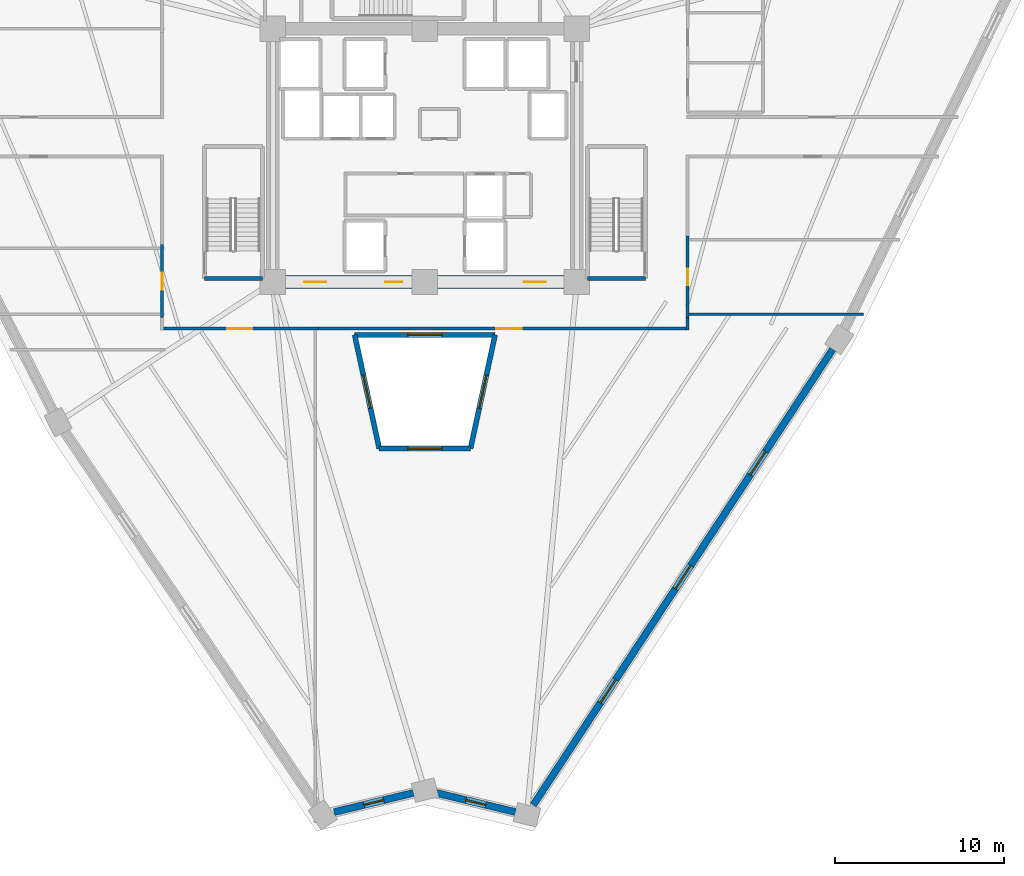
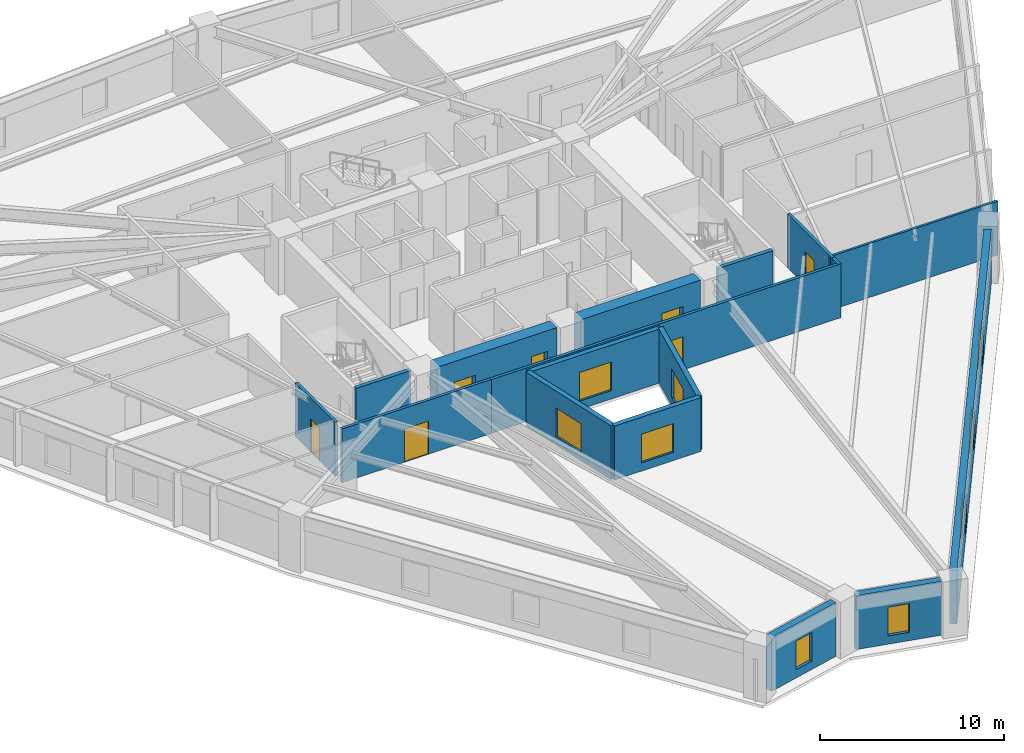
# One storey, part 3 of 8: 17 walls, 9 windows, 7 doors, 16 openings.
"""IFC4 building model written with IfcOpenShell, lengths in metres."""

from ifc_helpers import new_model, si_unit, direction, frame, frame_2d, origin, place, context, subcontext, project, spatial, rectangle, extrude, source, transform, mapped, material, layer, layer_set, type_object, element, fill, save


model = new_model("IFC4")

# Units and contexts
model_context = context("Model", 3, precision=1e-05, world=origin(), true_north=direction((0.0, 1.0)))
body_context = subcontext(model_context, "Body", "Model", "MODEL_VIEW")
ifc_project = project(units=[si_unit("LENGTHUNIT", "METRE"), si_unit("AREAUNIT", "SQUARE_METRE"), si_unit("VOLUMEUNIT", "CUBIC_METRE"), si_unit("PLANEANGLEUNIT", "RADIAN"), si_unit("MASSUNIT", "GRAM", prefix="KILO")], contexts=[model_context])

# Site, building, storey
site_placement = place(None, origin())
site = spatial("IfcSite", under=ifc_project, at=site_placement, CompositionType="ELEMENT")
building_placement = place(site_placement, origin())
building = spatial("IfcBuilding", under=site, at=building_placement, Name="Liaohun Quay Tower", CompositionType="ELEMENT")
storey_placement = place(building_placement, frame((0.0, 0.0, 105.75)))
storey = spatial("IfcBuildingStorey", under=building, at=storey_placement, Name="L27", CompositionType="ELEMENT", Elevation=105.75)

# Wall, opening, window
ifc_material_1 = material(Name="Concrete C50", Category="concrete")
ifc_layer_1 = layer(ifc_material_1, 0.300048828125, Name="Concrete C50", Category="concrete")
ifc_layer_set_1 = layer_set([ifc_layer_1], Name="Concrete C50")
wall_type_1 = type_object("IfcWallType", Name="WAL-ATR-300", PredefinedType="SOLIDWALL", material=ifc_layer_set_1)
wall_1_placement = place(storey_placement, frame((57.297119140625, 36.637939453125, 0.0), z_axis=(0.0, 0.0, 1.0), x_axis=(-0.211395025219, 0.977400707649, 0.0)))
wall_1 = element("IfcWall", 1, at=wall_1_placement, inside=storey, type_object=wall_type_1, Name="L27 Atrium Fire Compartment Wall 1", PredefinedType="SOLIDWALL", context=body_context, shape_type="SweptSolid", body=[
    extrude(rectangle(XDim=6.887939453125, YDim=0.300048828125, at=frame_2d((3.44384765625, 0.0))), origin(), (0.0, 0.0, 1.0), 3.570068359375),
])
shared_shape_1 = source(origin(), body_context, "Body", "SweptSolid", [
    extrude(rectangle(XDim=2.0, YDim=1.89990234375, at=frame_2d((1.0, 0.949951171875))), frame((0.0, 0.159912109375, 0.0), z_axis=(0.0, -1.0, 0.0), x_axis=(1.0, 0.0, 0.0)), (0.0, 0.0, 1.0), 0.320068359375),
])
opening_1_placement = place(wall_1_placement, frame((2.444091796875, 0.0, 0.550048828125)))
opening_1 = element("IfcOpeningElement", 2, at=opening_1_placement, cuts=wall_1, Name="Opening W07", PredefinedType="OPENING", context=body_context, shape_type="MappedRepresentation", body=[
    mapped(shared_shape_1, transform((0.0, 0.0, 0.0), x_axis=(1.0, 0.0, 0.0), y_axis=(0.0, 1.0, 0.0), z_axis=(0.0, 0.0, 1.0), scale=1.0)),
])
ifc_material_2 = material(Name="Class A 180-min fire-resistant insulated glazing", Category="glass")
window_type_1 = type_object("IfcWindowType", Name="WIN-ATR-FIR", PartitioningType="DOUBLE_PANEL_VERTICAL", PredefinedType="WINDOW", material=ifc_material_2)
shared_shape_2 = source(origin(), body_context, "Body", "SweptSolid", [
    extrude(rectangle(XDim=2.0, YDim=1.89990234375, at=frame_2d((1.0, 0.949951171875))), frame((0.0, 0.030029296875, 0.0), z_axis=(0.0, -1.0, 0.0), x_axis=(1.0, 0.0, 0.0)), (0.0, 0.0, 1.0), 0.06005859375),
])
window_1_placement = place(opening_1_placement, origin())
window_1 = element("IfcWindow", 3, at=window_1_placement, inside=storey, type_object=window_type_1, Name="L27 Atrium Fire-Resistant Glazing W07-1", OverallHeight=1.89990234375, OverallWidth=2.0, PartitioningType="DOUBLE_PANEL_VERTICAL", PredefinedType="WINDOW", context=body_context, shape_type="MappedRepresentation", body=[
    mapped(shared_shape_2, transform((0.0, 0.0, 0.0), x_axis=(1.0, 0.0, 0.0), y_axis=(0.0, 1.0, 0.0), z_axis=(0.0, 0.0, 1.0), scale=1.0)),
])
fill(opening_1, window_1)

wall_2_placement = place(storey_placement, frame((55.841064453125, 43.3701171875, 0.0), z_axis=(0.0, 0.0, 1.0), x_axis=(1.0, 0.0, 0.0)))
wall_2 = element("IfcWall", 4, at=wall_2_placement, inside=storey, type_object=wall_type_1, Name="L27 Atrium Fire Compartment Wall 2", PredefinedType="SOLIDWALL", context=body_context, shape_type="SweptSolid", body=[
    extrude(rectangle(XDim=8.31787109375, YDim=0.300048828125, at=frame_2d((4.158935546875, 0.0))), origin(), (0.0, 0.0, 1.0), 3.570068359375),
])
opening_2_placement = place(wall_2_placement, frame((3.158935546875, 0.0, 0.550048828125)))
opening_2 = element("IfcOpeningElement", 5, at=opening_2_placement, cuts=wall_2, Name="Opening W07", PredefinedType="OPENING", context=body_context, shape_type="MappedRepresentation", body=[
    mapped(shared_shape_1, transform((0.0, 0.0, 0.0), x_axis=(1.0, 0.0, 0.0), y_axis=(0.0, 1.0, 0.0), z_axis=(0.0, 0.0, 1.0), scale=1.0)),
])
window_2_placement = place(opening_2_placement, origin())
window_2 = element("IfcWindow", 6, at=window_2_placement, inside=storey, type_object=window_type_1, Name="L27 Atrium Fire-Resistant Glazing W07-2", OverallHeight=1.89990234375, OverallWidth=2.0, PartitioningType="DOUBLE_PANEL_VERTICAL", PredefinedType="WINDOW", context=body_context, shape_type="MappedRepresentation", body=[
    mapped(shared_shape_2, transform((0.0, 0.0, 0.0), x_axis=(1.0, 0.0, 0.0), y_axis=(0.0, 1.0, 0.0), z_axis=(0.0, 0.0, 1.0), scale=1.0)),
])
fill(opening_2, window_2)

wall_3_placement = place(storey_placement, frame((64.158935546875, 43.3701171875, 0.0), z_axis=(0.0, 0.0, 1.0), x_axis=(-0.211395025219, -0.977400707649, 0.0)))
wall_3 = element("IfcWall", 7, at=wall_3_placement, inside=storey, type_object=wall_type_1, Name="L27 Atrium Fire Compartment Wall 3", PredefinedType="SOLIDWALL", context=body_context, shape_type="SweptSolid", body=[
    extrude(rectangle(XDim=6.887939453125, YDim=0.300048828125, at=frame_2d((3.44384765625, 0.0))), origin(), (0.0, 0.0, 1.0), 3.570068359375),
])
opening_3_placement = place(wall_3_placement, frame((2.444091796875, 0.0, 0.550048828125)))
opening_3 = element("IfcOpeningElement", 8, at=opening_3_placement, cuts=wall_3, Name="Opening W07", PredefinedType="OPENING", context=body_context, shape_type="MappedRepresentation", body=[
    mapped(shared_shape_1, transform((0.0, 0.0, 0.0), x_axis=(1.0, 0.0, 0.0), y_axis=(0.0, 1.0, 0.0), z_axis=(0.0, 0.0, 1.0), scale=1.0)),
])
window_3_placement = place(opening_3_placement, origin())
window_3 = element("IfcWindow", 9, at=window_3_placement, inside=storey, type_object=window_type_1, Name="L27 Atrium Fire-Resistant Glazing W07-3", OverallHeight=1.89990234375, OverallWidth=2.0, PartitioningType="DOUBLE_PANEL_VERTICAL", PredefinedType="WINDOW", context=body_context, shape_type="MappedRepresentation", body=[
    mapped(shared_shape_2, transform((0.0, 0.0, 0.0), x_axis=(1.0, 0.0, 0.0), y_axis=(0.0, 1.0, 0.0), z_axis=(0.0, 0.0, 1.0), scale=1.0)),
])
fill(opening_3, window_3)

wall_4_placement = place(storey_placement, frame((62.702880859375, 36.637939453125, 0.0), z_axis=(0.0, 0.0, 1.0), x_axis=(-1.0, 0.0, 0.0)))
wall_4 = element("IfcWall", 10, at=wall_4_placement, inside=storey, type_object=wall_type_1, Name="L27 Atrium Fire Compartment Wall 4", PredefinedType="SOLIDWALL", context=body_context, shape_type="SweptSolid", body=[
    extrude(rectangle(XDim=5.40576171875, YDim=0.300048828125, at=frame_2d((2.702880859375, 0.0))), origin(), (0.0, 0.0, 1.0), 3.570068359375),
])
opening_4_placement = place(wall_4_placement, frame((1.702880859375, 0.0, 0.550048828125)))
opening_4 = element("IfcOpeningElement", 11, at=opening_4_placement, cuts=wall_4, Name="Opening W07", PredefinedType="OPENING", context=body_context, shape_type="MappedRepresentation", body=[
    mapped(shared_shape_1, transform((0.0, 0.0, 0.0), x_axis=(1.0, 0.0, 0.0), y_axis=(0.0, 1.0, 0.0), z_axis=(0.0, 0.0, 1.0), scale=1.0)),
])
window_4_placement = place(opening_4_placement, origin())
window_4 = element("IfcWindow", 12, at=window_4_placement, inside=storey, type_object=window_type_1, Name="L27 Atrium Fire-Resistant Glazing W07-4", OverallHeight=1.89990234375, OverallWidth=2.0, PartitioningType="DOUBLE_PANEL_VERTICAL", PredefinedType="WINDOW", context=body_context, shape_type="MappedRepresentation", body=[
    mapped(shared_shape_2, transform((0.0, 0.0, 0.0), x_axis=(1.0, 0.0, 0.0), y_axis=(0.0, 1.0, 0.0), z_axis=(0.0, 0.0, 1.0), scale=1.0)),
])
fill(opening_4, window_4)

# Wall, opening, door
ifc_material_3 = material(Name="Concrete C60", Category="concrete")
ifc_layer_2 = layer(ifc_material_3, 0.75, Name="Concrete C60", Category="concrete")
ifc_layer_set_2 = layer_set([ifc_layer_2], Name="Concrete C60")
wall_type_2 = type_object("IfcWallType", Name="WAL-COR-Z2", PredefinedType="SHEAR", material=ifc_layer_set_2)
wall_5_placement = place(storey_placement, frame((68.25, 46.5, 0.0), z_axis=(0.0, 0.0, 1.0), x_axis=(-1.0, 0.0, 0.0)))
wall_5 = element("IfcWall", 13, at=wall_5_placement, inside=storey, type_object=wall_type_2, Name="L27 Central Core Shear Wall S-E", PredefinedType="SHEAR", context=body_context, shape_type="SweptSolid", body=[
    extrude(rectangle(XDim=7.5, YDim=0.75, at=frame_2d((3.75, 0.0))), origin(), (0.0, 0.0, 1.0), 3.570068359375),
])
shared_shape_3 = source(origin(), body_context, "Body", "SweptSolid", [
    extrude(rectangle(XDim=1.300048828125, YDim=2.199951171875, at=frame_2d((0.64990234375, 1.10009765625))), frame((0.0, 0.385009765625, 0.0), z_axis=(0.0, -1.0, 0.0), x_axis=(1.0, 0.0, 0.0)), (0.0, 0.0, 1.0), 0.77001953125),
])
opening_5_placement = place(wall_5_placement, frame((1.10009765625, 0.0, 0.0)))
opening_5 = element("IfcOpeningElement", 14, at=opening_5_placement, cuts=wall_5, Name="Opening FD1", PredefinedType="OPENING", context=body_context, shape_type="MappedRepresentation", body=[
    mapped(shared_shape_3, transform((0.0, 0.0, 0.0), x_axis=(1.0, 0.0, 0.0), y_axis=(0.0, 1.0, 0.0), z_axis=(0.0, 0.0, 1.0), scale=1.0)),
])
ifc_material_4 = material(Name="Galvanised steel smokeproof fire door", Category="steel")
door_type_1 = type_object("IfcDoorType", Name="DOR-FFL-1300", OperationType="NOTDEFINED", PredefinedType="DOOR", material=ifc_material_4)
shared_shape_4 = source(origin(), body_context, "Body", "SweptSolid", [
    extrude(rectangle(XDim=1.300048828125, YDim=2.199951171875, at=frame_2d((0.64990234375, 1.10009765625))), frame((0.0, 0.02490234375, 0.0), z_axis=(0.0, -1.0, 0.0), x_axis=(1.0, 0.0, 0.0)), (0.0, 0.0, 1.0), 0.050048828125),
])
door_1_placement = place(opening_5_placement, origin())
door_1 = element("IfcDoor", 15, at=door_1_placement, inside=storey, type_object=door_type_1, Name="L27 East Core Lift Lobby Smokeproof Door", OperationType="SINGLE_SWING_LEFT", OverallHeight=2.199951171875, OverallWidth=1.300048828125, PredefinedType="DOOR", context=body_context, shape_type="MappedRepresentation", body=[
    mapped(shared_shape_4, transform((0.0, 0.0, 0.0), x_axis=(1.0, 0.0, 0.0), y_axis=(0.0, 1.0, 0.0), z_axis=(0.0, 0.0, 1.0), scale=1.0)),
])
fill(opening_5, door_1)

# Wall, openings, doors
wall_6_placement = place(storey_placement, frame((59.25, 46.5, 0.0), z_axis=(0.0, 0.0, 1.0), x_axis=(-1.0, 0.0, 0.0)))
wall_6 = element("IfcWall", 16, at=wall_6_placement, inside=storey, type_object=wall_type_2, Name="L27 Central Core Shear Wall S-W", PredefinedType="SHEAR", context=body_context, shape_type="SweptSolid", body=[
    extrude(rectangle(XDim=7.5, YDim=0.75, at=frame_2d((3.75, 0.0))), origin(), (0.0, 0.0, 1.0), 3.570068359375),
])
opening_6_placement = place(wall_6_placement, frame((5.10009765625, 0.0, 0.0)))
opening_6 = element("IfcOpeningElement", 17, at=opening_6_placement, cuts=wall_6, Name="Opening FD1", PredefinedType="OPENING", context=body_context, shape_type="MappedRepresentation", body=[
    mapped(shared_shape_3, transform((0.0, 0.0, 0.0), x_axis=(1.0, 0.0, 0.0), y_axis=(0.0, 1.0, 0.0), z_axis=(0.0, 0.0, 1.0), scale=1.0)),
])
shared_shape_5 = source(origin(), body_context, "Body", "SweptSolid", [
    extrude(rectangle(XDim=1.0, YDim=2.199951171875, at=frame_2d((0.5, 1.10009765625))), frame((0.0, 0.385009765625, 0.0), z_axis=(0.0, -1.0, 0.0), x_axis=(1.0, 0.0, 0.0)), (0.0, 0.0, 1.0), 0.77001953125),
])
opening_7_placement = place(wall_6_placement, frame((0.60009765625, 0.0, 0.0)))
opening_7 = element("IfcOpeningElement", 18, at=opening_7_placement, cuts=wall_6, Name="Opening FD2", PredefinedType="OPENING", context=body_context, shape_type="MappedRepresentation", body=[
    mapped(shared_shape_5, transform((0.0, 0.0, 0.0), x_axis=(1.0, 0.0, 0.0), y_axis=(0.0, 1.0, 0.0), z_axis=(0.0, 0.0, 1.0), scale=1.0)),
])
door_2_placement = place(opening_6_placement, origin())
door_2 = element("IfcDoor", 19, at=door_2_placement, inside=storey, type_object=door_type_1, Name="L27 West Core Lift Lobby Smokeproof Door", OperationType="SINGLE_SWING_RIGHT", OverallHeight=2.199951171875, OverallWidth=1.300048828125, PredefinedType="DOOR", context=body_context, shape_type="MappedRepresentation", body=[
    mapped(shared_shape_4, transform((0.0, 0.0, 0.0), x_axis=(1.0, 0.0, 0.0), y_axis=(0.0, 1.0, 0.0), z_axis=(0.0, 0.0, 1.0), scale=1.0)),
])
fill(opening_6, door_2)
ifc_material_5 = material(Name="Galvanised steel smokeproof lobby fire door", Category="steel")
door_type_2 = type_object("IfcDoorType", Name="DOR-FFL-1000", OperationType="NOTDEFINED", PredefinedType="DOOR", material=ifc_material_5)
shared_shape_6 = source(origin(), body_context, "Body", "SweptSolid", [
    extrude(rectangle(XDim=1.0, YDim=2.199951171875, at=frame_2d((0.5, 1.10009765625))), frame((0.0, 0.02490234375, 0.0), z_axis=(0.0, -1.0, 0.0), x_axis=(1.0, 0.0, 0.0)), (0.0, 0.0, 1.0), 0.050048828125),
])
door_3_placement = place(opening_7_placement, origin())
door_3 = element("IfcDoor", 20, at=door_3_placement, inside=storey, type_object=door_type_2, Name="L27 South Firefighting Lobby Smokeproof Door", OperationType="SINGLE_SWING_LEFT", OverallHeight=2.199951171875, OverallWidth=1.0, PredefinedType="DOOR", context=body_context, shape_type="MappedRepresentation", body=[
    mapped(shared_shape_6, transform((0.0, 0.0, 0.0), x_axis=(1.0, 0.0, 0.0), y_axis=(0.0, 1.0, 0.0), z_axis=(0.0, 0.0, 1.0), scale=1.0)),
])
fill(opening_7, door_3)

# Wall, opening, window
ifc_material_6 = material(Name="Precast concrete C50 insulated sandwich", Category="concrete")
ifc_layer_3 = layer(ifc_material_6, 0.419921875, Name="Precast concrete C50 insulated sandwich", Category="concrete")
ifc_layer_set_3 = layer_set([ifc_layer_3], Name="Precast concrete C50 insulated sandwich")
wall_type_3 = type_object("IfcWallType", Name="WAL-EXT-Z12", PredefinedType="SOLIDWALL", material=ifc_layer_set_3)
wall_7_placement = place(storey_placement, frame((60.6708984375, 16.2490234375, 0.0), z_axis=(0.0, 0.0, 1.0), x_axis=(0.972069490492, -0.234693216037, 0.0)))
wall_7 = element("IfcWall", 21, at=wall_7_placement, inside=storey, type_object=wall_type_3, Name="L27 Brutalist Precast Pier Wall 01", PredefinedType="SOLIDWALL", context=body_context, shape_type="SweptSolid", body=[
    extrude(rectangle(XDim=4.83203125, YDim=0.419921875, at=frame_2d((2.416015625, 0.0))), origin(), (0.0, 0.0, 1.0), 3.570068359375),
])
shared_shape_7 = source(origin(), body_context, "Body", "SweptSolid", [
    extrude(rectangle(XDim=1.199951171875, YDim=1.89990234375, at=frame_2d((0.60009765625, 0.949951171875))), frame((0.0, 0.219970703125, 0.0), z_axis=(0.0, -1.0, 0.0), x_axis=(1.0, 0.0, 0.0)), (0.0, 0.0, 1.0), 0.43994140625),
])
opening_8_placement = place(wall_7_placement, frame((1.81591796875, 0.0, 0.550048828125)))
opening_8 = element("IfcOpeningElement", 22, at=opening_8_placement, cuts=wall_7, Name="Opening W05", PredefinedType="OPENING", context=body_context, shape_type="MappedRepresentation", body=[
    mapped(shared_shape_7, transform((0.0, 0.0, 0.0), x_axis=(1.0, 0.0, 0.0), y_axis=(0.0, 1.0, 0.0), z_axis=(0.0, 0.0, 1.0), scale=1.0)),
])
ifc_material_7 = material(Name="Triple Low-E corner notch glazing", Category="glass")
window_type_2 = type_object("IfcWindowType", Name="WIN-NOTCH", PartitioningType="SINGLE_PANEL", PredefinedType="WINDOW", material=ifc_material_7)
shared_shape_8 = source(origin(), body_context, "Body", "SweptSolid", [
    extrude(rectangle(XDim=1.199951171875, YDim=1.89990234375, at=frame_2d((0.60009765625, 0.949951171875))), frame((0.0, 0.030029296875, 0.0), z_axis=(0.0, -1.0, 0.0), x_axis=(1.0, 0.0, 0.0)), (0.0, 0.0, 1.0), 0.06005859375),
])
window_5_placement = place(opening_8_placement, origin())
window_5 = element("IfcWindow", 23, at=window_5_placement, inside=storey, type_object=window_type_2, Name="L27 Corner Notch Window W05-01", OverallHeight=1.89990234375, OverallWidth=1.199951171875, PartitioningType="SINGLE_PANEL", PredefinedType="WINDOW", context=body_context, shape_type="MappedRepresentation", body=[
    mapped(shared_shape_8, transform((0.0, 0.0, 0.0), x_axis=(1.0, 0.0, 0.0), y_axis=(0.0, 1.0, 0.0), z_axis=(0.0, 0.0, 1.0), scale=1.0)),
])
fill(opening_8, window_5)

# Wall, openings, windows
wall_8_placement = place(storey_placement, frame((66.41796875, 15.530029296875, 0.0), z_axis=(0.0, 0.0, 1.0), x_axis=(0.549159785608, 0.835717374398, 0.0)))
wall_8 = element("IfcWall", 24, at=wall_8_placement, inside=storey, type_object=wall_type_3, Name="L27 Brutalist Precast Pier Wall 02", PredefinedType="SOLIDWALL", context=body_context, shape_type="SweptSolid", body=[
    extrude(rectangle(XDim=32.296875, YDim=0.419921875, at=frame_2d((16.1484375, 0.0))), origin(), (0.0, 0.0, 1.0), 3.570068359375),
])
shared_shape_9 = source(origin(), body_context, "Body", "SweptSolid", [
    extrude(rectangle(XDim=1.64990234375, YDim=1.949951171875, at=frame_2d((0.824951171875, 0.97509765625))), frame((0.0, 0.219970703125, 0.0), z_axis=(0.0, -1.0, 0.0), x_axis=(1.0, 0.0, 0.0)), (0.0, 0.0, 1.0), 0.43994140625),
])
opening_9_placement = place(wall_8_placement, frame((7.2490234375, 0.0, 0.550048828125)))
opening_9 = element("IfcOpeningElement", 25, at=opening_9_placement, cuts=wall_8, Name="Opening W02", PredefinedType="OPENING", context=body_context, shape_type="MappedRepresentation", body=[
    mapped(shared_shape_9, transform((0.0, 0.0, 0.0), x_axis=(1.0, 0.0, 0.0), y_axis=(0.0, 1.0, 0.0), z_axis=(0.0, 0.0, 1.0), scale=1.0)),
])
opening_10_placement = place(wall_8_placement, frame((15.322998046875, 0.0, 0.550048828125)))
opening_10 = element("IfcOpeningElement", 26, at=opening_10_placement, cuts=wall_8, Name="Opening W02", PredefinedType="OPENING", context=body_context, shape_type="MappedRepresentation", body=[
    mapped(shared_shape_9, transform((0.0, 0.0, 0.0), x_axis=(1.0, 0.0, 0.0), y_axis=(0.0, 1.0, 0.0), z_axis=(0.0, 0.0, 1.0), scale=1.0)),
])
opening_11_placement = place(wall_8_placement, frame((23.39794921875, 0.0, 0.550048828125)))
opening_11 = element("IfcOpeningElement", 27, at=opening_11_placement, cuts=wall_8, Name="Opening W02", PredefinedType="OPENING", context=body_context, shape_type="MappedRepresentation", body=[
    mapped(shared_shape_9, transform((0.0, 0.0, 0.0), x_axis=(1.0, 0.0, 0.0), y_axis=(0.0, 1.0, 0.0), z_axis=(0.0, 0.0, 1.0), scale=1.0)),
])
ifc_material_8 = material(Name="Triple Low-E argon glazing in thermally broken aluminium", Category="aluminium")
window_type_3 = type_object("IfcWindowType", Name="WIN-PUN-Z2", PartitioningType="DOUBLE_PANEL_VERTICAL", PredefinedType="WINDOW", material=ifc_material_8)
shared_shape_10 = source(origin(), body_context, "Body", "SweptSolid", [
    extrude(rectangle(XDim=1.64990234375, YDim=1.949951171875, at=frame_2d((0.824951171875, 0.97509765625))), frame((0.0, 0.030029296875, 0.0), z_axis=(0.0, -1.0, 0.0), x_axis=(1.0, 0.0, 0.0)), (0.0, 0.0, 1.0), 0.06005859375),
])
window_6_placement = place(opening_9_placement, origin())
window_6 = element("IfcWindow", 28, at=window_6_placement, inside=storey, type_object=window_type_3, Name="L27 Recessed Cold-Climate Punched Window 02-1", OverallHeight=1.949951171875, OverallWidth=1.64990234375, PartitioningType="DOUBLE_PANEL_VERTICAL", PredefinedType="WINDOW", context=body_context, shape_type="MappedRepresentation", body=[
    mapped(shared_shape_10, transform((0.0, 0.0, 0.0), x_axis=(1.0, 0.0, 0.0), y_axis=(0.0, 1.0, 0.0), z_axis=(0.0, 0.0, 1.0), scale=1.0)),
])
fill(opening_9, window_6)
window_7_placement = place(opening_10_placement, origin())
window_7 = element("IfcWindow", 29, at=window_7_placement, inside=storey, type_object=window_type_3, Name="L27 Recessed Cold-Climate Punched Window 02-2", OverallHeight=1.949951171875, OverallWidth=1.64990234375, PartitioningType="DOUBLE_PANEL_VERTICAL", PredefinedType="WINDOW", context=body_context, shape_type="MappedRepresentation", body=[
    mapped(shared_shape_10, transform((0.0, 0.0, 0.0), x_axis=(1.0, 0.0, 0.0), y_axis=(0.0, 1.0, 0.0), z_axis=(0.0, 0.0, 1.0), scale=1.0)),
])
fill(opening_10, window_7)
window_8_placement = place(opening_11_placement, origin())
window_8 = element("IfcWindow", 30, at=window_8_placement, inside=storey, type_object=window_type_3, Name="L27 Recessed Cold-Climate Punched Window 02-3", OverallHeight=1.949951171875, OverallWidth=1.64990234375, PartitioningType="DOUBLE_PANEL_VERTICAL", PredefinedType="WINDOW", context=body_context, shape_type="MappedRepresentation", body=[
    mapped(shared_shape_10, transform((0.0, 0.0, 0.0), x_axis=(1.0, 0.0, 0.0), y_axis=(0.0, 1.0, 0.0), z_axis=(0.0, 0.0, 1.0), scale=1.0)),
])
fill(opening_11, window_8)

# Wall, opening, window
wall_9_placement = place(storey_placement, frame((54.625, 15.113037109375, 0.0), z_axis=(0.0, 0.0, 1.0), x_axis=(0.972057999052, 0.234740807016, 0.0)))
wall_9 = element("IfcWall", 31, at=wall_9_placement, inside=storey, type_object=wall_type_3, Name="L27 Brutalist Precast Pier Wall 12", PredefinedType="SOLIDWALL", context=body_context, shape_type="SweptSolid", body=[
    extrude(rectangle(XDim=4.83935546875, YDim=0.419921875, at=frame_2d((2.419677734375, 0.0))), origin(), (0.0, 0.0, 1.0), 3.570068359375),
])
opening_12_placement = place(wall_9_placement, frame((1.820068359375, 0.0, 0.550048828125)))
opening_12 = element("IfcOpeningElement", 32, at=opening_12_placement, cuts=wall_9, Name="Opening W05", PredefinedType="OPENING", context=body_context, shape_type="MappedRepresentation", body=[
    mapped(shared_shape_7, transform((0.0, 0.0, 0.0), x_axis=(1.0, 0.0, 0.0), y_axis=(0.0, 1.0, 0.0), z_axis=(0.0, 0.0, 1.0), scale=1.0)),
])
window_9_placement = place(opening_12_placement, origin())
window_9 = element("IfcWindow", 33, at=window_9_placement, inside=storey, type_object=window_type_2, Name="L27 Corner Notch Window W05-12", OverallHeight=1.89990234375, OverallWidth=1.199951171875, PartitioningType="SINGLE_PANEL", PredefinedType="WINDOW", context=body_context, shape_type="MappedRepresentation", body=[
    mapped(shared_shape_8, transform((0.0, 0.0, 0.0), x_axis=(1.0, 0.0, 0.0), y_axis=(0.0, 1.0, 0.0), z_axis=(0.0, 0.0, 1.0), scale=1.0)),
])
fill(opening_12, window_9)

# Wall, opening, door
ifc_material_9 = material(Name="Autoclaved aerated concrete blockwork", Category="masonry")
ifc_layer_4 = layer(ifc_material_9, 0.179931640625, Name="Autoclaved aerated concrete blockwork", Category="masonry")
ifc_layer_set_4 = layer_set([ifc_layer_4], Name="Autoclaved aerated concrete blockwork")
wall_type_4 = type_object("IfcWallType", Name="WAL-PRT-COR", PredefinedType="PARTITIONING", material=ifc_layer_set_4)
wall_10_placement = place(storey_placement, frame((44.43994140625, 44.385009765625, 0.0), z_axis=(0.0, 0.0, 1.0), x_axis=(0.0, 1.0, 0.0)))
wall_10 = element("IfcWall", 34, at=wall_10_placement, inside=storey, type_object=wall_type_4, Name="L27 Interior Partition Wall 018", PredefinedType="PARTITIONING", context=body_context, shape_type="SweptSolid", body=[
    extrude(rectangle(XDim=4.330078125, YDim=0.179931640625, at=frame_2d((2.1650390625, 0.0))), origin(), (0.0, 0.0, 1.0), 3.570068359375),
])
shared_shape_11 = source(origin(), body_context, "Body", "SweptSolid", [
    extrude(rectangle(XDim=1.0, YDim=2.199951171875, at=frame_2d((0.5, 1.10009765625))), frame((0.0, 0.099853515625, 0.0), z_axis=(0.0, -1.0, 0.0), x_axis=(1.0, 0.0, 0.0)), (0.0, 0.0, 1.0), 0.199951171875),
])
opening_13_placement = place(wall_10_placement, frame((1.6650390625, 0.0, 0.0)))
opening_13 = element("IfcOpeningElement", 35, at=opening_13_placement, cuts=wall_10, Name="Opening OD1", PredefinedType="OPENING", context=body_context, shape_type="MappedRepresentation", body=[
    mapped(shared_shape_11, transform((0.0, 0.0, 0.0), x_axis=(1.0, 0.0, 0.0), y_axis=(0.0, 1.0, 0.0), z_axis=(0.0, 0.0, 1.0), scale=1.0)),
])
ifc_material_10 = material(Name="Solid-core oak veneer timber leaf in steel frame", Category="steel")
door_type_3 = type_object("IfcDoorType", Name="DOR-OFF-1000", OperationType="NOTDEFINED", PredefinedType="DOOR", material=ifc_material_10)
door_4_placement = place(opening_13_placement, origin())
door_4 = element("IfcDoor", 36, at=door_4_placement, inside=storey, type_object=door_type_3, Name="L27 Corporate Exhibition Gallery 08 Door", OperationType="SINGLE_SWING_LEFT", OverallHeight=2.199951171875, OverallWidth=1.0, PredefinedType="DOOR", context=body_context, shape_type="MappedRepresentation", body=[
    mapped(shared_shape_6, transform((0.0, 0.0, 0.0), x_axis=(1.0, 0.0, 0.0), y_axis=(0.0, 1.0, 0.0), z_axis=(0.0, 0.0, 1.0), scale=1.0)),
])
fill(opening_13, door_4)

wall_11_placement = place(storey_placement, frame((53.715087890625, 43.739990234375, 0.0), z_axis=(0.0, 0.0, 1.0), x_axis=(-1.0, 0.0, 0.0)))
wall_11 = element("IfcWall", 37, at=wall_11_placement, inside=storey, type_object=wall_type_4, Name="L27 Interior Partition Wall 019", PredefinedType="PARTITIONING", context=body_context, shape_type="SweptSolid", body=[
    extrude(rectangle(XDim=9.344970703125, YDim=0.179931640625, at=frame_2d((4.67236328125, 0.0))), origin(), (0.0, 0.0, 1.0), 3.570068359375),
])
shared_shape_12 = source(origin(), body_context, "Body", "SweptSolid", [
    extrude(rectangle(XDim=1.5, YDim=2.199951171875, at=frame_2d((0.75, 1.10009765625))), frame((0.0, 0.099853515625, 0.0), z_axis=(0.0, -1.0, 0.0), x_axis=(1.0, 0.0, 0.0)), (0.0, 0.0, 1.0), 0.199951171875),
])
opening_14_placement = place(wall_11_placement, frame((3.923095703125, 0.0, 0.0)))
opening_14 = element("IfcOpeningElement", 38, at=opening_14_placement, cuts=wall_11, Name="Opening OD2", PredefinedType="OPENING", context=body_context, shape_type="MappedRepresentation", body=[
    mapped(shared_shape_12, transform((0.0, 0.0, 0.0), x_axis=(1.0, 0.0, 0.0), y_axis=(0.0, 1.0, 0.0), z_axis=(0.0, 0.0, 1.0), scale=1.0)),
])
ifc_material_11 = material(Name="Acoustic oak veneer double door")
door_type_4 = type_object("IfcDoorType", Name="DOR-OFF-1500", OperationType="DOUBLE_DOOR_SINGLE_SWING", PredefinedType="DOOR", material=ifc_material_11)
shared_shape_13 = source(origin(), body_context, "Body", "SweptSolid", [
    extrude(rectangle(XDim=1.5, YDim=2.199951171875, at=frame_2d((0.75, 1.10009765625))), frame((0.0, 0.02490234375, 0.0), z_axis=(0.0, -1.0, 0.0), x_axis=(1.0, 0.0, 0.0)), (0.0, 0.0, 1.0), 0.050048828125),
])
door_5_placement = place(opening_14_placement, origin())
door_5 = element("IfcDoor", 39, at=door_5_placement, inside=storey, type_object=door_type_4, Name="L27 Records Archive Store 09 Door", OperationType="DOUBLE_DOOR_SINGLE_SWING", OverallHeight=2.199951171875, OverallWidth=1.5, PredefinedType="DOOR", context=body_context, shape_type="MappedRepresentation", body=[
    mapped(shared_shape_13, transform((0.0, 0.0, 0.0), x_axis=(1.0, 0.0, 0.0), y_axis=(0.0, 1.0, 0.0), z_axis=(0.0, 0.0, 1.0), scale=1.0)),
])
fill(opening_14, door_5)

wall_12_placement = place(storey_placement, frame((75.6298828125, 43.739990234375, 0.0), z_axis=(0.0, 0.0, 1.0), x_axis=(-1.0, 0.0, 0.0)))
wall_12 = element("IfcWall", 40, at=wall_12_placement, inside=storey, type_object=wall_type_4, Name="L27 Interior Partition Wall 020", PredefinedType="PARTITIONING", context=body_context, shape_type="SweptSolid", body=[
    extrude(rectangle(XDim=21.914794921875, YDim=0.179931640625, at=frame_2d((10.95751953125, 0.0))), origin(), (0.0, 0.0, 1.0), 3.570068359375),
])
opening_15_placement = place(wall_12_placement, frame((9.906982421875, 0.0, 0.0)))
opening_15 = element("IfcOpeningElement", 41, at=opening_15_placement, cuts=wall_12, Name="Opening OD2", PredefinedType="OPENING", context=body_context, shape_type="MappedRepresentation", body=[
    mapped(shared_shape_12, transform((0.0, 0.0, 0.0), x_axis=(1.0, 0.0, 0.0), y_axis=(0.0, 1.0, 0.0), z_axis=(0.0, 0.0, 1.0), scale=1.0)),
])
door_6_placement = place(opening_15_placement, origin())
door_6 = element("IfcDoor", 42, at=door_6_placement, inside=storey, type_object=door_type_4, Name="L27 Open-Plan Office Workplace 10 Door", OperationType="DOUBLE_DOOR_SINGLE_SWING", OverallHeight=2.199951171875, OverallWidth=1.5, PredefinedType="DOOR", context=body_context, shape_type="MappedRepresentation", body=[
    mapped(shared_shape_13, transform((0.0, 0.0, 0.0), x_axis=(1.0, 0.0, 0.0), y_axis=(0.0, 1.0, 0.0), z_axis=(0.0, 0.0, 1.0), scale=1.0)),
])
fill(opening_15, door_6)

wall_13_placement = place(storey_placement, frame((75.56005859375, 49.215087890625, 0.0), z_axis=(0.0, 0.0, 1.0), x_axis=(0.0, -1.0, 0.0)))
wall_13 = element("IfcWall", 43, at=wall_13_placement, inside=storey, type_object=wall_type_4, Name="L27 Interior Partition Wall 021", PredefinedType="PARTITIONING", context=body_context, shape_type="SweptSolid", body=[
    extrude(rectangle(XDim=4.830078125, YDim=0.179931640625, at=frame_2d((2.4150390625, 0.0))), origin(), (0.0, 0.0, 1.0), 3.570068359375),
])
opening_16_placement = place(wall_13_placement, frame((1.9150390625, 0.0, 0.0)))
opening_16 = element("IfcOpeningElement", 44, at=opening_16_placement, cuts=wall_13, Name="Opening OD1", PredefinedType="OPENING", context=body_context, shape_type="MappedRepresentation", body=[
    mapped(shared_shape_11, transform((0.0, 0.0, 0.0), x_axis=(1.0, 0.0, 0.0), y_axis=(0.0, 1.0, 0.0), z_axis=(0.0, 0.0, 1.0), scale=1.0)),
])
door_7_placement = place(opening_16_placement, origin())
door_7 = element("IfcDoor", 45, at=door_7_placement, inside=storey, type_object=door_type_3, Name="L27 Executive Partner Office 11 Door", OperationType="SINGLE_SWING_RIGHT", OverallHeight=2.199951171875, OverallWidth=1.0, PredefinedType="DOOR", context=body_context, shape_type="MappedRepresentation", body=[
    mapped(shared_shape_6, transform((0.0, 0.0, 0.0), x_axis=(1.0, 0.0, 0.0), y_axis=(0.0, 1.0, 0.0), z_axis=(0.0, 0.0, 1.0), scale=1.0)),
])
fill(opening_16, door_7)

# Walls
wall_14_placement = place(storey_placement, frame((75.56005859375, 44.385009765625, 0.0), z_axis=(0.0, 0.0, 1.0), x_axis=(0.0, -1.0, 0.0)))
element("IfcWall", 46, at=wall_14_placement, inside=storey, type_object=wall_type_4, Name="L27 Interior Partition Wall 043", PredefinedType="PARTITIONING", context=body_context, shape_type="SweptSolid", body=[
    extrude(rectangle(XDim=0.715087890625, YDim=0.179931640625, at=frame_2d((0.357421875, 0.0))), origin(), (0.0, 0.0, 1.0), 3.570068359375),
])
ifc_material_12 = material(Name="Gypsum board on twin steel studs", Category="steel")
ifc_layer_5 = layer(ifc_material_12, 0.139892578125, Name="Gypsum board on twin steel studs", Category="steel")
ifc_layer_set_5 = layer_set([ifc_layer_5], Name="Gypsum board on twin steel studs")
wall_type_5 = type_object("IfcWallType", Name="WAL-PRT-OFF", PredefinedType="PARTITIONING", material=ifc_layer_set_5)
wall_15_placement = place(storey_placement, frame((75.4599609375, 44.60009765625, 0.0), z_axis=(0.0, 0.0, 1.0), x_axis=(1.0, 0.0, 0.0)))
element("IfcWall", 47, at=wall_15_placement, inside=storey, type_object=wall_type_5, Name="L27 Interior Partition Wall 050", PredefinedType="PARTITIONING", context=body_context, shape_type="SweptSolid", body=[
    extrude(rectangle(XDim=10.508056640625, YDim=0.139892578125, at=frame_2d((5.25390625, 0.0))), origin(), (0.0, 0.0, 1.0), 3.570068359375),
])
ifc_layer_6 = layer(ifc_material_1, 0.239990234375, Name="Concrete C50", Category="concrete")
ifc_layer_set_6 = layer_set([ifc_layer_6], Name="Concrete C50")
wall_type_6 = type_object("IfcWallType", Name="WAL-SHF-200", PredefinedType="SOLIDWALL", material=ifc_layer_set_6)
for number, where, z_axis, x_axis, name in (
    (48, (46.93994140625, 46.699951171875, 0.0), (0.0, 0.0, 1.0), (1.0, 0.0, 0.0), "L27 Stairwell ST-1 Structural Core Wall S"),
    (49, (69.6201171875, 46.699951171875, 0.0), (0.0, 0.0, 1.0), (1.0, 0.0, 0.0), "L27 Stairwell ST-2 Structural Core Wall S"),
):
    element("IfcWall", number, at=place(storey_placement, frame(where, z_axis=z_axis, x_axis=x_axis)), inside=storey, type_object=wall_type_6, Name=name, PredefinedType="SOLIDWALL", context=body_context, shape_type="SweptSolid", body=[
        extrude(rectangle(XDim=3.43994140625, YDim=0.239990234375, at=frame_2d((1.719970703125, 0.0))), origin(), (0.0, 0.0, 1.0), 3.570068359375),
    ])

save(model, "model.ifc")
